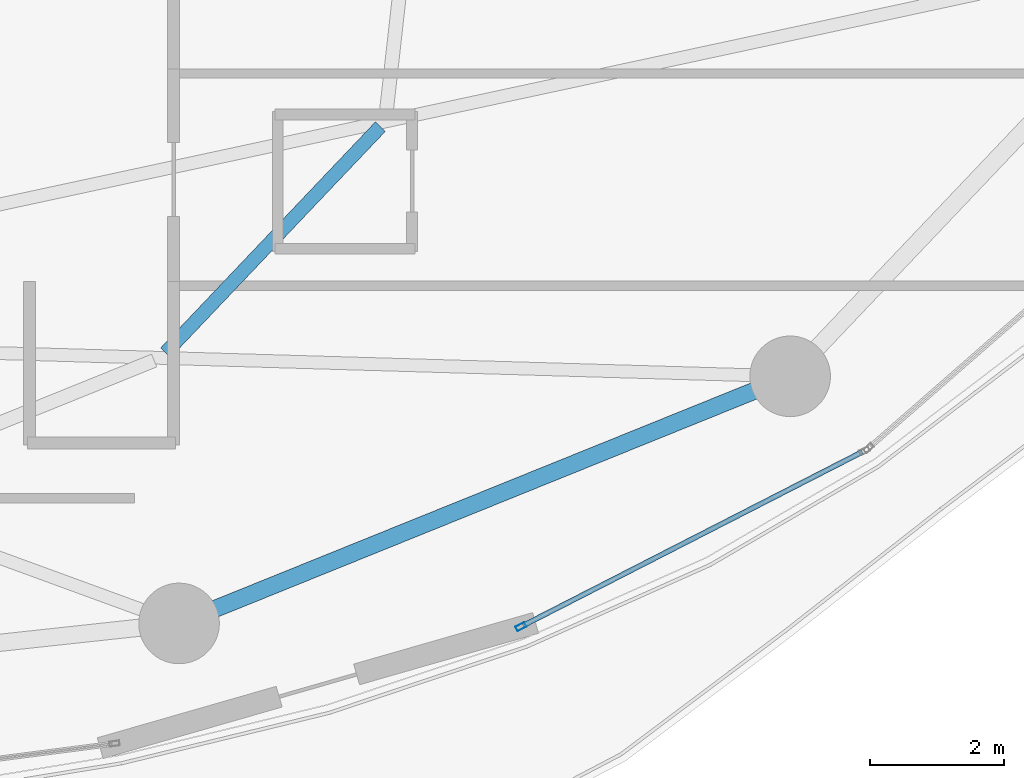
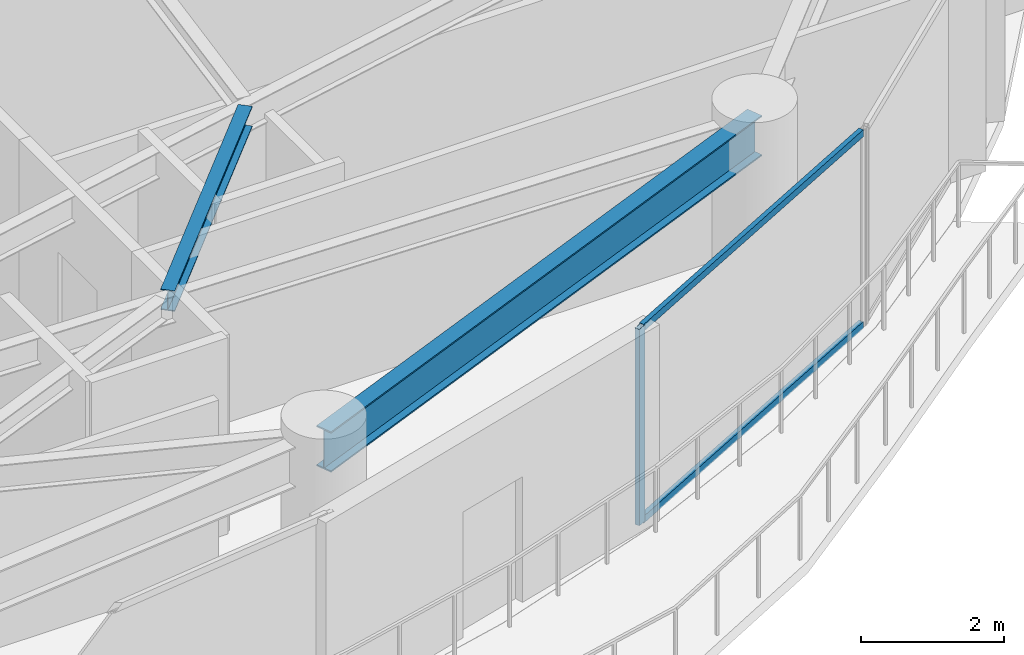
# One storey, part 11 of 28: 3 members, 2 beams, 1 element without a shape of its own.
"""IFC4 building model written with IfcOpenShell, lengths in metres."""

from ifc_helpers import new_model, si_unit, direction, frame, origin, origin_2d, place, context, subcontext, project, spatial, hollow_rectangle, i_section, extrude, material, layer, layer_set, material_profile, profile_set, type_object, element, aggregate, save


model = new_model("IFC4")

# Units and contexts
model_context = context("Model", 3, precision=1e-05, world=origin(), true_north=direction((0.0, 1.0)))
body_context = subcontext(model_context, "Body", "Model", "MODEL_VIEW")
ifc_project = project(units=[si_unit("LENGTHUNIT", "METRE"), si_unit("AREAUNIT", "SQUARE_METRE"), si_unit("VOLUMEUNIT", "CUBIC_METRE"), si_unit("PLANEANGLEUNIT", "RADIAN"), si_unit("MASSUNIT", "GRAM", prefix="KILO")], contexts=[model_context])

# Site, building, storey
site_placement = place(None, origin())
site = spatial("IfcSite", under=ifc_project, at=site_placement, CompositionType="ELEMENT")
building_placement = place(site_placement, origin())
building = spatial("IfcBuilding", under=site, at=building_placement, Name="Kazevale Care Tower and Concert Hall", CompositionType="ELEMENT")
storey_placement = place(building_placement, frame((0.0, 0.0, 120.60009765625)))
storey = spatial("IfcBuildingStorey", under=building, at=storey_placement, Name="L31", CompositionType="ELEMENT", Elevation=120.60009765625)

# Curtain wall, members
ifc_material_1 = material(Name="Aluminium 6063-T6 and Low-E Glass", Category="aluminium")
ifc_layer = layer(ifc_material_1, 0.179931640625)
ifc_layer_set = layer_set([ifc_layer], Name="Aluminium 6063-T6 and Low-E Glass")
curtain_wall_type = type_object("IfcCurtainWallType", Name="Sheltered Concave Balcony Curtain Wall CW-5", PredefinedType="NOTDEFINED", material=ifc_layer_set)
curtain_wall_placement = place(storey_placement, origin())
curtain_wall = element("IfcCurtainWall", 1, at=curtain_wall_placement, inside=storey, type_object=curtain_wall_type, Name="cw:L31:f03", PredefinedType="NOTDEFINED")
ifc_material_2 = material(Name="Aluminium 6063-T6", Category="aluminium")
ifc_material_profile_1 = material_profile(ifc_material_2, hollow_rectangle(XDim=0.074951171875, YDim=0.14990234375, WallThickness=0.00390625, at=origin_2d()), Name="ALU75x150x4")
ifc_profile_set_1 = profile_set([ifc_material_profile_1], Name="Aluminium 6063-T6")
member_type_1 = type_object("IfcMemberType", Name="CW-5 Mullion ALU75x150x4", PredefinedType="MULLION", material=ifc_profile_set_1)
member_1_placement = place(storey_placement, frame((60.822265625, 19.26220703125, 0.0), z_axis=(0.0, 0.0, 1.0), x_axis=(0.455713236575, -0.890126646051, 0.0)))
member_1 = element("IfcMember", 2, at=member_1_placement, type_object=member_type_1, Name="CW-5 mullion 2", PredefinedType="MULLION", context=body_context, shape_type="SweptSolid", body=[
    extrude(hollow_rectangle(XDim=0.074951171875, YDim=0.14990234375, WallThickness=0.00390625, at=origin_2d()), origin(), (0.0, 0.0, 1.0), 3.35986328125),
])
ifc_material_profile_2 = material_profile(ifc_material_2, hollow_rectangle(XDim=0.074951171875, YDim=0.1201171875, WallThickness=0.00390625, at=origin_2d()), Name="ALU75x120x4")
ifc_profile_set_2 = profile_set([ifc_material_profile_2], Name="Aluminium 6063-T6")
member_type_2 = type_object("IfcMemberType", Name="CW-5 Transom ALU75x120x4", PredefinedType="USERDEFINED", material=ifc_profile_set_2)
member_2_placement = place(storey_placement, frame((65.904296875, 21.86376953125, 0.037353515625), z_axis=(-0.890142600475, -0.455682072084, 0.0), x_axis=(0.455682072084, -0.890142600475, 0.0)))
member_2 = element("IfcMember", 3, at=member_2_placement, type_object=member_type_2, Name="CW-5 transom 1.1", ObjectType="TRANSOM", PredefinedType="USERDEFINED", context=body_context, shape_type="SweptSolid", body=[
    extrude(hollow_rectangle(XDim=0.074951171875, YDim=0.1201171875, WallThickness=0.00390625, at=origin_2d()), origin(), (0.0, 0.0, 1.0), 5.671630859375),
])
member_3_placement = place(storey_placement, frame((65.904296875, 21.86376953125, 3.322509765625), z_axis=(-0.890142600475, -0.455682072084, 0.0), x_axis=(0.455682072084, -0.890142600475, 0.0)))
member_3 = element("IfcMember", 4, at=member_3_placement, type_object=member_type_2, Name="CW-5 transom 1.2", ObjectType="TRANSOM", PredefinedType="USERDEFINED", context=body_context, shape_type="SweptSolid", body=[
    extrude(hollow_rectangle(XDim=0.074951171875, YDim=0.1201171875, WallThickness=0.00390625, at=origin_2d()), origin(), (0.0, 0.0, 1.0), 5.671630859375),
])
aggregate(curtain_wall, [member_1, member_2, member_3])

# Beams
ifc_material_3 = material(Name="Steel ASTM A572 Gr 50", Category="steel")
ifc_material_profile_3 = material_profile(ifc_material_3, i_section(OverallWidth=0.205078125, OverallDepth=0.35400390625, WebThickness=0.009521484375, FlangeThickness=0.016845703125, at=origin_2d()), Name="W360x79")
ifc_profile_set_3 = profile_set([ifc_material_profile_3], Name="Steel ASTM A572 Gr 50")
beam_type_1 = type_object("IfcBeamType", Name="Secondary Floor Joist W360x79", PredefinedType="JOIST", material=ifc_profile_set_3)
beam_1_placement = place(storey_placement, frame((55.529052734375, 23.341064453125, 3.182861328125), z_axis=(0.688792288395, 0.724958746032, 0.0), x_axis=(-0.724958746032, 0.688792288395, 0.0)))
element("IfcBeam", 5, at=beam_1_placement, inside=storey, type_object=beam_type_1, Name="beam:L31:joist:15", PredefinedType="JOIST", context=body_context, shape_type="SweptSolid", body=[
    extrude(i_section(OverallWidth=0.205078125, OverallDepth=0.35400390625, WebThickness=0.009521484375, FlangeThickness=0.016845703125, at=origin_2d()), origin(), (0.0, 0.0, 1.0), 4.644287109375),
])
ifc_material_profile_4 = material_profile(ifc_material_3, i_section(OverallWidth=0.256103515625, OverallDepth=0.693115234375, WebThickness=0.014404296875, FlangeThickness=0.023681640625, at=origin_2d()), Name="W690x170")
ifc_profile_set_4 = profile_set([ifc_material_profile_4], Name="Steel ASTM A572 Gr 50")
beam_type_2 = type_object("IfcBeamType", Name="Waist Ring Beam W690x170", PredefinedType="BEAM", material=ifc_profile_set_4)
beam_2_placement = place(storey_placement, frame((55.72998046875, 19.31005859375, 3.013427734375), z_axis=(0.927068687828, 0.374891515041, 0.0), x_axis=(-0.374891515041, 0.927068687828, 0.0)))
element("IfcBeam", 6, at=beam_2_placement, inside=storey, type_object=beam_type_2, Name="beam:L31:ring:14", PredefinedType="BEAM", context=body_context, shape_type="SweptSolid", body=[
    extrude(i_section(OverallWidth=0.256103515625, OverallDepth=0.693115234375, WebThickness=0.014404296875, FlangeThickness=0.023681640625, at=origin_2d()), origin(), (0.0, 0.0, 1.0), 9.81591796875),
])

save(model, "model.ifc")
